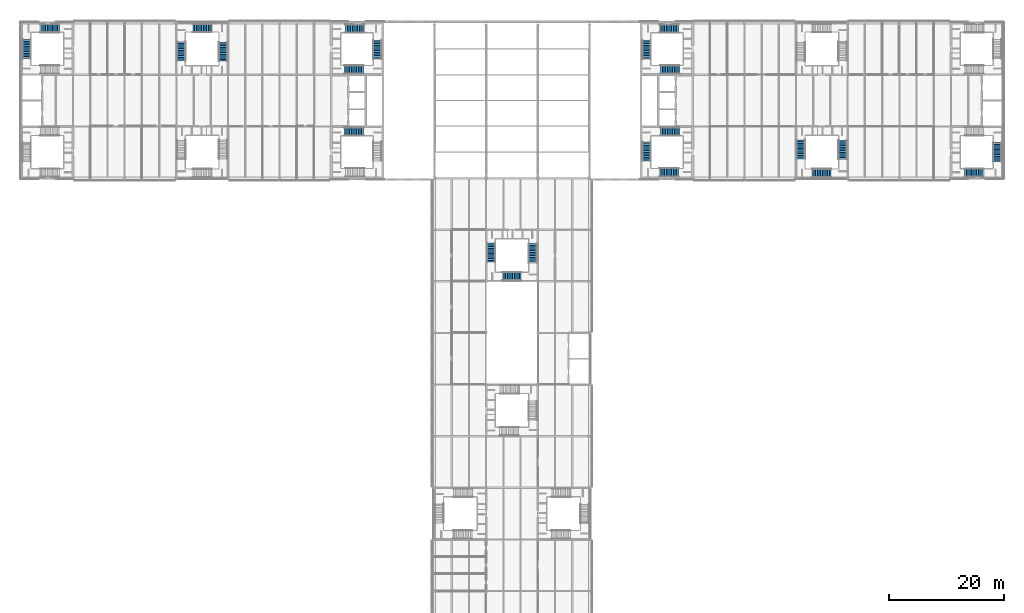
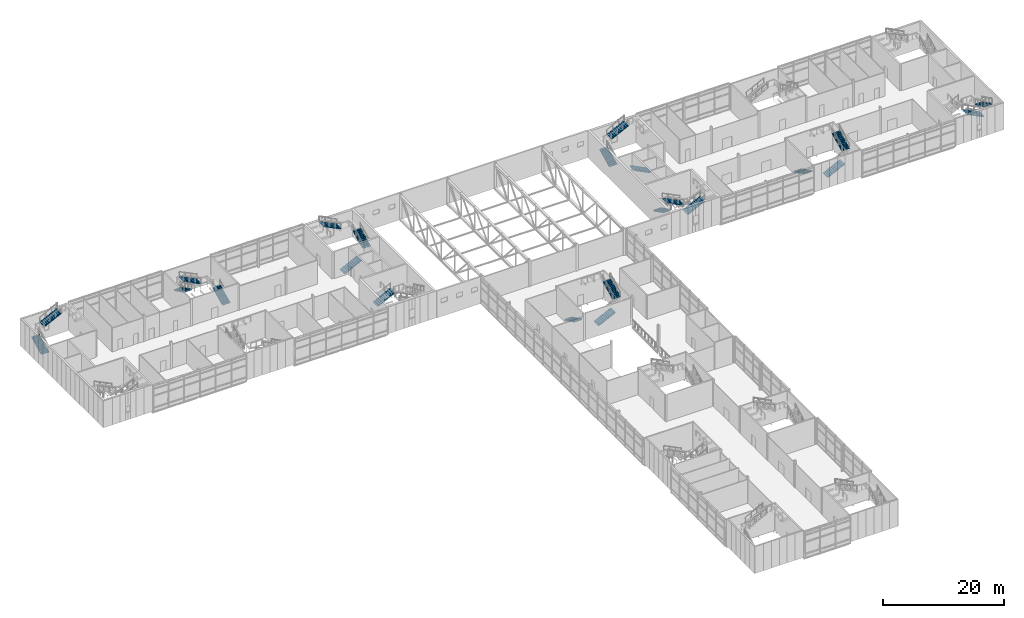
# One storey, part 43 of 53: 23 stair flights, 9 elements without a shape of their own.
"""IFC4 building model written with IfcOpenShell, lengths in metres."""

from ifc_helpers import new_model, si_unit, direction, frame, origin, place, context, subcontext, project, spatial, polyline, outline, extrude, material, type_object, element, aggregate, save


model = new_model("IFC4")

# Units and contexts
model_context = context("Model", 3, precision=1e-05, world=origin(), true_north=direction((0.0, 1.0)))
body_context = subcontext(model_context, "Body", "Model", "MODEL_VIEW")
ifc_project = project(units=[si_unit("LENGTHUNIT", "METRE"), si_unit("AREAUNIT", "SQUARE_METRE"), si_unit("VOLUMEUNIT", "CUBIC_METRE"), si_unit("PLANEANGLEUNIT", "RADIAN"), si_unit("MASSUNIT", "GRAM", prefix="KILO")], contexts=[model_context])

# Site, building, storey
site_placement = place(None, origin())
site = spatial("IfcSite", under=ifc_project, at=site_placement, CompositionType="ELEMENT")
building_placement = place(site_placement, origin())
building = spatial("IfcBuilding", under=site, at=building_placement, Name="Azimuth Sports and Learning Centre", CompositionType="ELEMENT")
storey_placement = place(building_placement, frame((0.0, 0.0, 10.800048828125)))
storey = spatial("IfcBuildingStorey", under=building, at=storey_placement, Name="L02", CompositionType="ELEMENT", Elevation=10.800048828125)

# Stair, stair flight
ifc_material_1 = material(Name="Concrete C32/40", Category="concrete")
stair_type_1 = type_object("IfcStairType", Name="Square-well stair core 5400 storey", PredefinedType="THREE_QUARTER_TURN_STAIR", material=ifc_material_1)
stair_1_placement = place(storey_placement, origin())
stair_1 = element("IfcStair", 1, at=stair_1_placement, inside=storey, type_object=stair_type_1, Name="Stair W1 L02-L03", PredefinedType="THREE_QUARTER_TURN_STAIR")
ifc_material_2 = material(Name="Concrete C32/40", Category="concrete")
stair_flight_type = type_object("IfcStairFlightType", Name="Stair flight 12 risers", PredefinedType="STRAIGHT", material=ifc_material_2)
stair_flight_1_placement = place(storey_placement, frame((56.31005859375, 98.090087890625, 0.0), z_axis=(0.0, 0.0, 1.0), x_axis=(1.0, 0.0, 0.0)))
stair_flight_1 = element("IfcStairFlight", 2, at=stair_flight_1_placement, type_object=stair_flight_type, Name="Stair W1 L02 flight 1", NumberOfRisers=12, NumberOfTreads=11, PredefinedType="STRAIGHT", RiserHeight=0.15, TreadLength=0.3, context=body_context, shape_type="SweptSolid", body=[
    extrude(outline(polyline([(0.0, 0.0), (0.0, 0.14990234375), (0.300048828125, 0.14990234375), (0.300048828125, 0.300048828125), (0.60009765625, 0.300048828125), (0.60009765625, 0.449951171875), (0.89990234375, 0.449951171875), (0.89990234375, 0.60009765625), (1.199951171875, 0.60009765625), (1.199951171875, 0.75), (1.5, 0.75), (1.5, 0.89990234375), (1.800048828125, 0.89990234375), (1.800048828125, 1.050048828125), (2.10009765625, 1.050048828125), (2.10009765625, 1.199951171875), (2.39990234375, 1.199951171875), (2.39990234375, 1.35009765625), (2.699951171875, 1.35009765625), (2.699951171875, 1.5), (3.0, 1.5), (3.0, 1.64990234375), (3.300048828125, 1.64990234375), (3.300048828125, 1.800048828125), (3.300048828125, 1.482421875), (0.335205078125, 0.0), (0.0, 0.0)])), frame((0.0, 0.75, 0.0), z_axis=(0.0, -1.0, 0.0), x_axis=(1.0, 0.0, 0.0)), (0.0, 0.0, 1.0), 1.5),
])
aggregate(stair_1, [stair_flight_1])

# Stair, stair flights
stair_2_placement = place(storey_placement, origin())
stair_2 = element("IfcStair", 3, at=stair_2_placement, inside=storey, type_object=stair_type_1, Name="Stair W2 L02-L03", PredefinedType="THREE_QUARTER_TURN_STAIR")
stair_flight_2_placement = place(storey_placement, frame((56.31005859375, 108.909912109375, 0.0), z_axis=(0.0, 0.0, 1.0), x_axis=(1.0, 0.0, 0.0)))
stair_flight_2 = element("IfcStairFlight", 4, at=stair_flight_2_placement, type_object=stair_flight_type, Name="Stair W2 L02 flight 1", NumberOfRisers=12, NumberOfTreads=11, PredefinedType="STRAIGHT", RiserHeight=0.15, TreadLength=0.3, context=body_context, shape_type="SweptSolid", body=[
    extrude(outline(polyline([(0.0, 0.0), (0.0, 0.14990234375), (0.300048828125, 0.14990234375), (0.300048828125, 0.300048828125), (0.60009765625, 0.300048828125), (0.60009765625, 0.449951171875), (0.89990234375, 0.449951171875), (0.89990234375, 0.60009765625), (1.199951171875, 0.60009765625), (1.199951171875, 0.75), (1.5, 0.75), (1.5, 0.89990234375), (1.800048828125, 0.89990234375), (1.800048828125, 1.050048828125), (2.10009765625, 1.050048828125), (2.10009765625, 1.199951171875), (2.39990234375, 1.199951171875), (2.39990234375, 1.35009765625), (2.699951171875, 1.35009765625), (2.699951171875, 1.5), (3.0, 1.5), (3.0, 1.64990234375), (3.300048828125, 1.64990234375), (3.300048828125, 1.800048828125), (3.300048828125, 1.482421875), (0.335205078125, 0.0), (0.0, 0.0)])), frame((0.0, 0.75, 0.0), z_axis=(0.0, -1.0, 0.0), x_axis=(1.0, 0.0, 0.0)), (0.0, 0.0, 1.0), 1.5),
])
stair_flight_3_placement = place(storey_placement, frame((62.0400390625, 110.7099609375, 1.800048828125), z_axis=(0.0, 0.0, 1.0), x_axis=(0.0, 1.0, 0.0)))
stair_flight_3 = element("IfcStairFlight", 5, at=stair_flight_3_placement, type_object=stair_flight_type, Name="Stair W2 L02 flight 2", NumberOfRisers=12, NumberOfTreads=11, PredefinedType="STRAIGHT", RiserHeight=0.15, TreadLength=0.3, context=body_context, shape_type="SweptSolid", body=[
    extrude(outline(polyline([(0.0, 0.0), (0.0, 0.14990234375), (0.300048828125, 0.14990234375), (0.300048828125, 0.300048828125), (0.60009765625, 0.300048828125), (0.60009765625, 0.449951171875), (0.89990234375, 0.449951171875), (0.89990234375, 0.60009765625), (1.199951171875, 0.60009765625), (1.199951171875, 0.75), (1.5, 0.75), (1.5, 0.89990234375), (1.800048828125, 0.89990234375), (1.800048828125, 1.050048828125), (2.10009765625, 1.050048828125), (2.10009765625, 1.199951171875), (2.39990234375, 1.199951171875), (2.39990234375, 1.35009765625), (2.699951171875, 1.35009765625), (2.699951171875, 1.5), (3.0, 1.5), (3.0, 1.64990234375), (3.300048828125, 1.64990234375), (3.300048828125, 1.800048828125), (3.300048828125, 1.482421875), (0.335205078125, 0.0), (0.0, 0.0)])), frame((0.0, 0.75, 0.0), z_axis=(0.0, -1.0, 0.0), x_axis=(1.0, 0.0, 0.0)), (0.0, 0.0, 1.0), 1.5),
])
stair_flight_4_placement = place(storey_placement, frame((59.7900390625, 116.0400390625, 3.599853515625), z_axis=(0.0, 0.0, 1.0), x_axis=(-1.0, 0.0, 0.0)))
stair_flight_4 = element("IfcStairFlight", 6, at=stair_flight_4_placement, type_object=stair_flight_type, Name="Stair W2 L02 flight 3", NumberOfRisers=12, NumberOfTreads=11, PredefinedType="STRAIGHT", RiserHeight=0.15, TreadLength=0.3, context=body_context, shape_type="SweptSolid", body=[
    extrude(outline(polyline([(0.0, 0.0), (0.0, 0.14990234375), (0.300048828125, 0.14990234375), (0.300048828125, 0.300048828125), (0.60009765625, 0.300048828125), (0.60009765625, 0.449951171875), (0.89990234375, 0.449951171875), (0.89990234375, 0.60009765625), (1.199951171875, 0.60009765625), (1.199951171875, 0.75), (1.5, 0.75), (1.5, 0.89990234375), (1.800048828125, 0.89990234375), (1.800048828125, 1.050048828125), (2.10009765625, 1.050048828125), (2.10009765625, 1.199951171875), (2.39990234375, 1.199951171875), (2.39990234375, 1.35009765625), (2.699951171875, 1.35009765625), (2.699951171875, 1.5), (3.0, 1.5), (3.0, 1.64990234375), (3.300048828125, 1.64990234375), (3.300048828125, 1.800048828125), (3.300048828125, 1.482421875), (0.335205078125, 0.0), (0.0, 0.0)])), frame((0.0, 0.75, 0.0), z_axis=(0.0, -1.0, 0.0), x_axis=(1.0, 0.0, 0.0)), (0.0, 0.0, 1.0), 1.5),
])
aggregate(stair_2, [stair_flight_2, stair_flight_3, stair_flight_4])

stair_3_placement = place(storey_placement, origin())
stair_3 = element("IfcStair", 7, at=stair_3_placement, inside=storey, type_object=stair_type_1, Name="Stair E1 L02-L03", PredefinedType="THREE_QUARTER_TURN_STAIR")
stair_flight_5_placement = place(storey_placement, frame((114.68994140625, 98.090087890625, 0.0), z_axis=(0.0, 0.0, 1.0), x_axis=(-1.0, 0.0, 0.0)))
stair_flight_5 = element("IfcStairFlight", 8, at=stair_flight_5_placement, type_object=stair_flight_type, Name="Stair E1 L02 flight 1", NumberOfRisers=12, NumberOfTreads=11, PredefinedType="STRAIGHT", RiserHeight=0.15, TreadLength=0.3, context=body_context, shape_type="SweptSolid", body=[
    extrude(outline(polyline([(0.0, 0.0), (0.0, 0.14990234375), (0.300048828125, 0.14990234375), (0.300048828125, 0.300048828125), (0.60009765625, 0.300048828125), (0.60009765625, 0.449951171875), (0.89990234375, 0.449951171875), (0.89990234375, 0.60009765625), (1.199951171875, 0.60009765625), (1.199951171875, 0.75), (1.5, 0.75), (1.5, 0.89990234375), (1.800048828125, 0.89990234375), (1.800048828125, 1.050048828125), (2.10009765625, 1.050048828125), (2.10009765625, 1.199951171875), (2.39990234375, 1.199951171875), (2.39990234375, 1.35009765625), (2.699951171875, 1.35009765625), (2.699951171875, 1.5), (3.0, 1.5), (3.0, 1.64990234375), (3.300048828125, 1.64990234375), (3.300048828125, 1.800048828125), (3.300048828125, 1.482421875), (0.335205078125, 0.0), (0.0, 0.0)])), frame((0.0, 0.75, 0.0), z_axis=(0.0, -1.0, 0.0), x_axis=(1.0, 0.0, 0.0)), (0.0, 0.0, 1.0), 1.5),
])
stair_flight_6_placement = place(storey_placement, frame((108.9599609375, 96.2900390625, 1.800048828125), z_axis=(0.0, 0.0, 1.0), x_axis=(0.0, -1.0, 0.0)))
stair_flight_6 = element("IfcStairFlight", 9, at=stair_flight_6_placement, type_object=stair_flight_type, Name="Stair E1 L02 flight 2", NumberOfRisers=12, NumberOfTreads=11, PredefinedType="STRAIGHT", RiserHeight=0.15, TreadLength=0.3, context=body_context, shape_type="SweptSolid", body=[
    extrude(outline(polyline([(0.0, 0.0), (0.0, 0.14990234375), (0.300048828125, 0.14990234375), (0.300048828125, 0.300048828125), (0.60009765625, 0.300048828125), (0.60009765625, 0.449951171875), (0.89990234375, 0.449951171875), (0.89990234375, 0.60009765625), (1.199951171875, 0.60009765625), (1.199951171875, 0.75), (1.5, 0.75), (1.5, 0.89990234375), (1.800048828125, 0.89990234375), (1.800048828125, 1.050048828125), (2.10009765625, 1.050048828125), (2.10009765625, 1.199951171875), (2.39990234375, 1.199951171875), (2.39990234375, 1.35009765625), (2.699951171875, 1.35009765625), (2.699951171875, 1.5), (3.0, 1.5), (3.0, 1.64990234375), (3.300048828125, 1.64990234375), (3.300048828125, 1.800048828125), (3.300048828125, 1.482421875), (0.335205078125, 0.0), (0.0, 0.0)])), frame((0.0, 0.75, 0.0), z_axis=(0.0, -1.0, 0.0), x_axis=(1.0, 0.0, 0.0)), (0.0, 0.0, 1.0), 1.5),
])
stair_flight_7_placement = place(storey_placement, frame((111.2099609375, 90.9599609375, 3.599853515625), z_axis=(0.0, 0.0, 1.0), x_axis=(1.0, 0.0, 0.0)))
stair_flight_7 = element("IfcStairFlight", 10, at=stair_flight_7_placement, type_object=stair_flight_type, Name="Stair E1 L02 flight 3", NumberOfRisers=12, NumberOfTreads=11, PredefinedType="STRAIGHT", RiserHeight=0.15, TreadLength=0.3, context=body_context, shape_type="SweptSolid", body=[
    extrude(outline(polyline([(0.0, 0.0), (0.0, 0.14990234375), (0.300048828125, 0.14990234375), (0.300048828125, 0.300048828125), (0.60009765625, 0.300048828125), (0.60009765625, 0.449951171875), (0.89990234375, 0.449951171875), (0.89990234375, 0.60009765625), (1.199951171875, 0.60009765625), (1.199951171875, 0.75), (1.5, 0.75), (1.5, 0.89990234375), (1.800048828125, 0.89990234375), (1.800048828125, 1.050048828125), (2.10009765625, 1.050048828125), (2.10009765625, 1.199951171875), (2.39990234375, 1.199951171875), (2.39990234375, 1.35009765625), (2.699951171875, 1.35009765625), (2.699951171875, 1.5), (3.0, 1.5), (3.0, 1.64990234375), (3.300048828125, 1.64990234375), (3.300048828125, 1.800048828125), (3.300048828125, 1.482421875), (0.335205078125, 0.0), (0.0, 0.0)])), frame((0.0, 0.75, 0.0), z_axis=(0.0, -1.0, 0.0), x_axis=(1.0, 0.0, 0.0)), (0.0, 0.0, 1.0), 1.5),
])
aggregate(stair_3, [stair_flight_5, stair_flight_6, stair_flight_7])

stair_4_placement = place(storey_placement, origin())
stair_4 = element("IfcStair", 11, at=stair_4_placement, inside=storey, type_object=stair_type_1, Name="Stair E2 L02-L03", PredefinedType="THREE_QUARTER_TURN_STAIR")
stair_flight_8_placement = place(storey_placement, frame((114.68994140625, 108.909912109375, 0.0), z_axis=(0.0, 0.0, 1.0), x_axis=(-1.0, 0.0, 0.0)))
stair_flight_8 = element("IfcStairFlight", 12, at=stair_flight_8_placement, type_object=stair_flight_type, Name="Stair E2 L02 flight 1", NumberOfRisers=12, NumberOfTreads=11, PredefinedType="STRAIGHT", RiserHeight=0.15, TreadLength=0.3, context=body_context, shape_type="SweptSolid", body=[
    extrude(outline(polyline([(0.0, 0.0), (0.0, 0.14990234375), (0.300048828125, 0.14990234375), (0.300048828125, 0.300048828125), (0.60009765625, 0.300048828125), (0.60009765625, 0.449951171875), (0.89990234375, 0.449951171875), (0.89990234375, 0.60009765625), (1.199951171875, 0.60009765625), (1.199951171875, 0.75), (1.5, 0.75), (1.5, 0.89990234375), (1.800048828125, 0.89990234375), (1.800048828125, 1.050048828125), (2.10009765625, 1.050048828125), (2.10009765625, 1.199951171875), (2.39990234375, 1.199951171875), (2.39990234375, 1.35009765625), (2.699951171875, 1.35009765625), (2.699951171875, 1.5), (3.0, 1.5), (3.0, 1.64990234375), (3.300048828125, 1.64990234375), (3.300048828125, 1.800048828125), (3.300048828125, 1.482421875), (0.335205078125, 0.0), (0.0, 0.0)])), frame((0.0, 0.75, 0.0), z_axis=(0.0, -1.0, 0.0), x_axis=(1.0, 0.0, 0.0)), (0.0, 0.0, 1.0), 1.5),
])
stair_flight_9_placement = place(storey_placement, frame((108.9599609375, 110.7099609375, 1.800048828125), z_axis=(0.0, 0.0, 1.0), x_axis=(0.0, 1.0, 0.0)))
stair_flight_9 = element("IfcStairFlight", 13, at=stair_flight_9_placement, type_object=stair_flight_type, Name="Stair E2 L02 flight 2", NumberOfRisers=12, NumberOfTreads=11, PredefinedType="STRAIGHT", RiserHeight=0.15, TreadLength=0.3, context=body_context, shape_type="SweptSolid", body=[
    extrude(outline(polyline([(0.0, 0.0), (0.0, 0.14990234375), (0.300048828125, 0.14990234375), (0.300048828125, 0.300048828125), (0.60009765625, 0.300048828125), (0.60009765625, 0.449951171875), (0.89990234375, 0.449951171875), (0.89990234375, 0.60009765625), (1.199951171875, 0.60009765625), (1.199951171875, 0.75), (1.5, 0.75), (1.5, 0.89990234375), (1.800048828125, 0.89990234375), (1.800048828125, 1.050048828125), (2.10009765625, 1.050048828125), (2.10009765625, 1.199951171875), (2.39990234375, 1.199951171875), (2.39990234375, 1.35009765625), (2.699951171875, 1.35009765625), (2.699951171875, 1.5), (3.0, 1.5), (3.0, 1.64990234375), (3.300048828125, 1.64990234375), (3.300048828125, 1.800048828125), (3.300048828125, 1.482421875), (0.335205078125, 0.0), (0.0, 0.0)])), frame((0.0, 0.75, 0.0), z_axis=(0.0, -1.0, 0.0), x_axis=(1.0, 0.0, 0.0)), (0.0, 0.0, 1.0), 1.5),
])
stair_flight_10_placement = place(storey_placement, frame((111.2099609375, 116.0400390625, 3.599853515625), z_axis=(0.0, 0.0, 1.0), x_axis=(1.0, 0.0, 0.0)))
stair_flight_10 = element("IfcStairFlight", 14, at=stair_flight_10_placement, type_object=stair_flight_type, Name="Stair E2 L02 flight 3", NumberOfRisers=12, NumberOfTreads=11, PredefinedType="STRAIGHT", RiserHeight=0.15, TreadLength=0.3, context=body_context, shape_type="SweptSolid", body=[
    extrude(outline(polyline([(0.0, 0.0), (0.0, 0.14990234375), (0.300048828125, 0.14990234375), (0.300048828125, 0.300048828125), (0.60009765625, 0.300048828125), (0.60009765625, 0.449951171875), (0.89990234375, 0.449951171875), (0.89990234375, 0.60009765625), (1.199951171875, 0.60009765625), (1.199951171875, 0.75), (1.5, 0.75), (1.5, 0.89990234375), (1.800048828125, 0.89990234375), (1.800048828125, 1.050048828125), (2.10009765625, 1.050048828125), (2.10009765625, 1.199951171875), (2.39990234375, 1.199951171875), (2.39990234375, 1.35009765625), (2.699951171875, 1.35009765625), (2.699951171875, 1.5), (3.0, 1.5), (3.0, 1.64990234375), (3.300048828125, 1.64990234375), (3.300048828125, 1.800048828125), (3.300048828125, 1.482421875), (0.335205078125, 0.0), (0.0, 0.0)])), frame((0.0, 0.75, 0.0), z_axis=(0.0, -1.0, 0.0), x_axis=(1.0, 0.0, 0.0)), (0.0, 0.0, 1.0), 1.5),
])
aggregate(stair_4, [stair_flight_8, stair_flight_9, stair_flight_10])

ifc_material_3 = material(Name="Concrete C32/40", Category="concrete")
stair_type_2 = type_object("IfcStairType", Name="Square-well stair end core 5400 storey", PredefinedType="THREE_QUARTER_TURN_STAIR", material=ifc_material_3)
stair_5_placement = place(storey_placement, origin())
stair_5 = element("IfcStair", 15, at=stair_5_placement, inside=storey, type_object=stair_type_2, Name="Stair WW2 L02-L03", PredefinedType="THREE_QUARTER_TURN_STAIR")
stair_flight_11_placement = place(storey_placement, frame((0.909912109375, 110.8349609375, 1.800048828125), z_axis=(0.0, 0.0, 1.0), x_axis=(0.0, 1.0, 0.0)))
stair_flight_11 = element("IfcStairFlight", 16, at=stair_flight_11_placement, type_object=stair_flight_type, Name="Stair WW2 L02 flight 2", NumberOfRisers=12, NumberOfTreads=11, PredefinedType="STRAIGHT", RiserHeight=0.15, TreadLength=0.3, context=body_context, shape_type="SweptSolid", body=[
    extrude(outline(polyline([(0.0, 0.0), (0.0, 0.14990234375), (0.300048828125, 0.14990234375), (0.300048828125, 0.300048828125), (0.60009765625, 0.300048828125), (0.60009765625, 0.449951171875), (0.89990234375, 0.449951171875), (0.89990234375, 0.60009765625), (1.199951171875, 0.60009765625), (1.199951171875, 0.75), (1.5, 0.75), (1.5, 0.89990234375), (1.800048828125, 0.89990234375), (1.800048828125, 1.050048828125), (2.10009765625, 1.050048828125), (2.10009765625, 1.199951171875), (2.39990234375, 1.199951171875), (2.39990234375, 1.35009765625), (2.699951171875, 1.35009765625), (2.699951171875, 1.5), (3.0, 1.5), (3.0, 1.64990234375), (3.300048828125, 1.64990234375), (3.300048828125, 1.800048828125), (3.300048828125, 1.482421875), (0.335205078125, 0.0), (0.0, 0.0)])), frame((0.0, 0.75, 0.0), z_axis=(0.0, -1.0, 0.0), x_axis=(1.0, 0.0, 0.0)), (0.0, 0.0, 1.0), 1.5),
])
stair_flight_12_placement = place(storey_placement, frame((3.31005859375, 116.090087890625, 3.599853515625), z_axis=(0.0, 0.0, 1.0), x_axis=(1.0, 0.0, 0.0)))
stair_flight_12 = element("IfcStairFlight", 17, at=stair_flight_12_placement, type_object=stair_flight_type, Name="Stair WW2 L02 flight 3", NumberOfRisers=12, NumberOfTreads=11, PredefinedType="STRAIGHT", RiserHeight=0.15, TreadLength=0.3, context=body_context, shape_type="SweptSolid", body=[
    extrude(outline(polyline([(0.0, 0.0), (0.0, 0.14990234375), (0.300048828125, 0.14990234375), (0.300048828125, 0.300048828125), (0.60009765625, 0.300048828125), (0.60009765625, 0.449951171875), (0.89990234375, 0.449951171875), (0.89990234375, 0.60009765625), (1.199951171875, 0.60009765625), (1.199951171875, 0.75), (1.5, 0.75), (1.5, 0.89990234375), (1.800048828125, 0.89990234375), (1.800048828125, 1.050048828125), (2.10009765625, 1.050048828125), (2.10009765625, 1.199951171875), (2.39990234375, 1.199951171875), (2.39990234375, 1.35009765625), (2.699951171875, 1.35009765625), (2.699951171875, 1.5), (3.0, 1.5), (3.0, 1.64990234375), (3.300048828125, 1.64990234375), (3.300048828125, 1.800048828125), (3.300048828125, 1.482421875), (0.335205078125, 0.0), (0.0, 0.0)])), frame((0.0, 0.75, 0.0), z_axis=(0.0, -1.0, 0.0), x_axis=(1.0, 0.0, 0.0)), (0.0, 0.0, 1.0), 1.5),
])
aggregate(stair_5, [stair_flight_11, stair_flight_12])

stair_6_placement = place(storey_placement, origin())
stair_6 = element("IfcStair", 18, at=stair_6_placement, inside=storey, type_object=stair_type_2, Name="Stair EW1 L02-L03", PredefinedType="THREE_QUARTER_TURN_STAIR")
stair_flight_13_placement = place(storey_placement, frame((170.090087890625, 96.1650390625, 1.800048828125), z_axis=(0.0, 0.0, 1.0), x_axis=(0.0, -1.0, 0.0)))
stair_flight_13 = element("IfcStairFlight", 19, at=stair_flight_13_placement, type_object=stair_flight_type, Name="Stair EW1 L02 flight 2", NumberOfRisers=12, NumberOfTreads=11, PredefinedType="STRAIGHT", RiserHeight=0.15, TreadLength=0.3, context=body_context, shape_type="SweptSolid", body=[
    extrude(outline(polyline([(0.0, 0.0), (0.0, 0.14990234375), (0.300048828125, 0.14990234375), (0.300048828125, 0.300048828125), (0.60009765625, 0.300048828125), (0.60009765625, 0.449951171875), (0.89990234375, 0.449951171875), (0.89990234375, 0.60009765625), (1.199951171875, 0.60009765625), (1.199951171875, 0.75), (1.5, 0.75), (1.5, 0.89990234375), (1.800048828125, 0.89990234375), (1.800048828125, 1.050048828125), (2.10009765625, 1.050048828125), (2.10009765625, 1.199951171875), (2.39990234375, 1.199951171875), (2.39990234375, 1.35009765625), (2.699951171875, 1.35009765625), (2.699951171875, 1.5), (3.0, 1.5), (3.0, 1.64990234375), (3.300048828125, 1.64990234375), (3.300048828125, 1.800048828125), (3.300048828125, 1.482421875), (0.335205078125, 0.0), (0.0, 0.0)])), frame((0.0, 0.75, 0.0), z_axis=(0.0, -1.0, 0.0), x_axis=(1.0, 0.0, 0.0)), (0.0, 0.0, 1.0), 1.5),
])
stair_flight_14_placement = place(storey_placement, frame((167.68994140625, 90.909912109375, 3.599853515625), z_axis=(0.0, 0.0, 1.0), x_axis=(-1.0, 0.0, 0.0)))
stair_flight_14 = element("IfcStairFlight", 20, at=stair_flight_14_placement, type_object=stair_flight_type, Name="Stair EW1 L02 flight 3", NumberOfRisers=12, NumberOfTreads=11, PredefinedType="STRAIGHT", RiserHeight=0.15, TreadLength=0.3, context=body_context, shape_type="SweptSolid", body=[
    extrude(outline(polyline([(0.0, 0.0), (0.0, 0.14990234375), (0.300048828125, 0.14990234375), (0.300048828125, 0.300048828125), (0.60009765625, 0.300048828125), (0.60009765625, 0.449951171875), (0.89990234375, 0.449951171875), (0.89990234375, 0.60009765625), (1.199951171875, 0.60009765625), (1.199951171875, 0.75), (1.5, 0.75), (1.5, 0.89990234375), (1.800048828125, 0.89990234375), (1.800048828125, 1.050048828125), (2.10009765625, 1.050048828125), (2.10009765625, 1.199951171875), (2.39990234375, 1.199951171875), (2.39990234375, 1.35009765625), (2.699951171875, 1.35009765625), (2.699951171875, 1.5), (3.0, 1.5), (3.0, 1.64990234375), (3.300048828125, 1.64990234375), (3.300048828125, 1.800048828125), (3.300048828125, 1.482421875), (0.335205078125, 0.0), (0.0, 0.0)])), frame((0.0, 0.75, 0.0), z_axis=(0.0, -1.0, 0.0), x_axis=(1.0, 0.0, 0.0)), (0.0, 0.0, 1.0), 1.5),
])
aggregate(stair_6, [stair_flight_13, stair_flight_14])

ifc_material_4 = material(Name="Concrete C32/40", Category="concrete")
stair_type_3 = type_object("IfcStairType", Name="Square-well stair mid-wing cell 5400 storey", PredefinedType="THREE_QUARTER_TURN_STAIR", material=ifc_material_4)
stair_7_placement = place(storey_placement, origin())
stair_7 = element("IfcStair", 21, at=stair_7_placement, inside=storey, type_object=stair_type_3, Name="Stair WM2 L02-L03", PredefinedType="THREE_QUARTER_TURN_STAIR")
stair_flight_15_placement = place(storey_placement, frame((35.139892578125, 110.360107421875, 0.0), z_axis=(0.0, 0.0, 1.0), x_axis=(0.0, 1.0, 0.0)))
stair_flight_15 = element("IfcStairFlight", 22, at=stair_flight_15_placement, type_object=stair_flight_type, Name="Stair WM2 L02 flight 1", NumberOfRisers=12, NumberOfTreads=11, PredefinedType="STRAIGHT", RiserHeight=0.15, TreadLength=0.3, context=body_context, shape_type="SweptSolid", body=[
    extrude(outline(polyline([(0.0, 0.0), (0.0, 0.14990234375), (0.300048828125, 0.14990234375), (0.300048828125, 0.300048828125), (0.60009765625, 0.300048828125), (0.60009765625, 0.449951171875), (0.89990234375, 0.449951171875), (0.89990234375, 0.60009765625), (1.199951171875, 0.60009765625), (1.199951171875, 0.75), (1.5, 0.75), (1.5, 0.89990234375), (1.800048828125, 0.89990234375), (1.800048828125, 1.050048828125), (2.10009765625, 1.050048828125), (2.10009765625, 1.199951171875), (2.39990234375, 1.199951171875), (2.39990234375, 1.35009765625), (2.699951171875, 1.35009765625), (2.699951171875, 1.5), (3.0, 1.5), (3.0, 1.64990234375), (3.300048828125, 1.64990234375), (3.300048828125, 1.800048828125), (3.300048828125, 1.482421875), (0.335205078125, 0.0), (0.0, 0.0)])), frame((0.0, 0.75, 0.0), z_axis=(0.0, -1.0, 0.0), x_axis=(1.0, 0.0, 0.0)), (0.0, 0.0, 1.0), 1.5),
])
stair_flight_16_placement = place(storey_placement, frame((33.18994140625, 116.139892578125, 1.800048828125), z_axis=(0.0, 0.0, 1.0), x_axis=(-1.0, 0.0, 0.0)))
stair_flight_16 = element("IfcStairFlight", 23, at=stair_flight_16_placement, type_object=stair_flight_type, Name="Stair WM2 L02 flight 2", NumberOfRisers=12, NumberOfTreads=11, PredefinedType="STRAIGHT", RiserHeight=0.15, TreadLength=0.3, context=body_context, shape_type="SweptSolid", body=[
    extrude(outline(polyline([(0.0, 0.0), (0.0, 0.14990234375), (0.300048828125, 0.14990234375), (0.300048828125, 0.300048828125), (0.60009765625, 0.300048828125), (0.60009765625, 0.449951171875), (0.89990234375, 0.449951171875), (0.89990234375, 0.60009765625), (1.199951171875, 0.60009765625), (1.199951171875, 0.75), (1.5, 0.75), (1.5, 0.89990234375), (1.800048828125, 0.89990234375), (1.800048828125, 1.050048828125), (2.10009765625, 1.050048828125), (2.10009765625, 1.199951171875), (2.39990234375, 1.199951171875), (2.39990234375, 1.35009765625), (2.699951171875, 1.35009765625), (2.699951171875, 1.5), (3.0, 1.5), (3.0, 1.64990234375), (3.300048828125, 1.64990234375), (3.300048828125, 1.800048828125), (3.300048828125, 1.482421875), (0.335205078125, 0.0), (0.0, 0.0)])), frame((0.0, 0.75, 0.0), z_axis=(0.0, -1.0, 0.0), x_axis=(1.0, 0.0, 0.0)), (0.0, 0.0, 1.0), 1.5),
])
stair_flight_17_placement = place(storey_placement, frame((27.860107421875, 113.739990234375, 3.599853515625), z_axis=(0.0, 0.0, 1.0), x_axis=(0.0, -1.0, 0.0)))
stair_flight_17 = element("IfcStairFlight", 24, at=stair_flight_17_placement, type_object=stair_flight_type, Name="Stair WM2 L02 flight 3", NumberOfRisers=12, NumberOfTreads=11, PredefinedType="STRAIGHT", RiserHeight=0.15, TreadLength=0.3, context=body_context, shape_type="SweptSolid", body=[
    extrude(outline(polyline([(0.0, 0.0), (0.0, 0.14990234375), (0.300048828125, 0.14990234375), (0.300048828125, 0.300048828125), (0.60009765625, 0.300048828125), (0.60009765625, 0.449951171875), (0.89990234375, 0.449951171875), (0.89990234375, 0.60009765625), (1.199951171875, 0.60009765625), (1.199951171875, 0.75), (1.5, 0.75), (1.5, 0.89990234375), (1.800048828125, 0.89990234375), (1.800048828125, 1.050048828125), (2.10009765625, 1.050048828125), (2.10009765625, 1.199951171875), (2.39990234375, 1.199951171875), (2.39990234375, 1.35009765625), (2.699951171875, 1.35009765625), (2.699951171875, 1.5), (3.0, 1.5), (3.0, 1.64990234375), (3.300048828125, 1.64990234375), (3.300048828125, 1.800048828125), (3.300048828125, 1.482421875), (0.335205078125, 0.0), (0.0, 0.0)])), frame((0.0, 0.75, 0.0), z_axis=(0.0, -1.0, 0.0), x_axis=(1.0, 0.0, 0.0)), (0.0, 0.0, 1.0), 1.5),
])
aggregate(stair_7, [stair_flight_15, stair_flight_16, stair_flight_17])

stair_8_placement = place(storey_placement, origin())
stair_8 = element("IfcStair", 25, at=stair_8_placement, inside=storey, type_object=stair_type_3, Name="Stair EM1 L02-L03", PredefinedType="THREE_QUARTER_TURN_STAIR")
stair_flight_18_placement = place(storey_placement, frame((135.860107421875, 96.639892578125, 0.0), z_axis=(0.0, 0.0, 1.0), x_axis=(0.0, -1.0, 0.0)))
stair_flight_18 = element("IfcStairFlight", 26, at=stair_flight_18_placement, type_object=stair_flight_type, Name="Stair EM1 L02 flight 1", NumberOfRisers=12, NumberOfTreads=11, PredefinedType="STRAIGHT", RiserHeight=0.15, TreadLength=0.3, context=body_context, shape_type="SweptSolid", body=[
    extrude(outline(polyline([(0.0, 0.0), (0.0, 0.14990234375), (0.300048828125, 0.14990234375), (0.300048828125, 0.300048828125), (0.60009765625, 0.300048828125), (0.60009765625, 0.449951171875), (0.89990234375, 0.449951171875), (0.89990234375, 0.60009765625), (1.199951171875, 0.60009765625), (1.199951171875, 0.75), (1.5, 0.75), (1.5, 0.89990234375), (1.800048828125, 0.89990234375), (1.800048828125, 1.050048828125), (2.10009765625, 1.050048828125), (2.10009765625, 1.199951171875), (2.39990234375, 1.199951171875), (2.39990234375, 1.35009765625), (2.699951171875, 1.35009765625), (2.699951171875, 1.5), (3.0, 1.5), (3.0, 1.64990234375), (3.300048828125, 1.64990234375), (3.300048828125, 1.800048828125), (3.300048828125, 1.482421875), (0.335205078125, 0.0), (0.0, 0.0)])), frame((0.0, 0.75, 0.0), z_axis=(0.0, -1.0, 0.0), x_axis=(1.0, 0.0, 0.0)), (0.0, 0.0, 1.0), 1.5),
])
stair_flight_19_placement = place(storey_placement, frame((137.81005859375, 90.860107421875, 1.800048828125), z_axis=(0.0, 0.0, 1.0), x_axis=(1.0, 0.0, 0.0)))
stair_flight_19 = element("IfcStairFlight", 27, at=stair_flight_19_placement, type_object=stair_flight_type, Name="Stair EM1 L02 flight 2", NumberOfRisers=12, NumberOfTreads=11, PredefinedType="STRAIGHT", RiserHeight=0.15, TreadLength=0.3, context=body_context, shape_type="SweptSolid", body=[
    extrude(outline(polyline([(0.0, 0.0), (0.0, 0.14990234375), (0.300048828125, 0.14990234375), (0.300048828125, 0.300048828125), (0.60009765625, 0.300048828125), (0.60009765625, 0.449951171875), (0.89990234375, 0.449951171875), (0.89990234375, 0.60009765625), (1.199951171875, 0.60009765625), (1.199951171875, 0.75), (1.5, 0.75), (1.5, 0.89990234375), (1.800048828125, 0.89990234375), (1.800048828125, 1.050048828125), (2.10009765625, 1.050048828125), (2.10009765625, 1.199951171875), (2.39990234375, 1.199951171875), (2.39990234375, 1.35009765625), (2.699951171875, 1.35009765625), (2.699951171875, 1.5), (3.0, 1.5), (3.0, 1.64990234375), (3.300048828125, 1.64990234375), (3.300048828125, 1.800048828125), (3.300048828125, 1.482421875), (0.335205078125, 0.0), (0.0, 0.0)])), frame((0.0, 0.75, 0.0), z_axis=(0.0, -1.0, 0.0), x_axis=(1.0, 0.0, 0.0)), (0.0, 0.0, 1.0), 1.5),
])
stair_flight_20_placement = place(storey_placement, frame((143.139892578125, 93.260009765625, 3.599853515625), z_axis=(0.0, 0.0, 1.0), x_axis=(0.0, 1.0, 0.0)))
stair_flight_20 = element("IfcStairFlight", 28, at=stair_flight_20_placement, type_object=stair_flight_type, Name="Stair EM1 L02 flight 3", NumberOfRisers=12, NumberOfTreads=11, PredefinedType="STRAIGHT", RiserHeight=0.15, TreadLength=0.3, context=body_context, shape_type="SweptSolid", body=[
    extrude(outline(polyline([(0.0, 0.0), (0.0, 0.14990234375), (0.300048828125, 0.14990234375), (0.300048828125, 0.300048828125), (0.60009765625, 0.300048828125), (0.60009765625, 0.449951171875), (0.89990234375, 0.449951171875), (0.89990234375, 0.60009765625), (1.199951171875, 0.60009765625), (1.199951171875, 0.75), (1.5, 0.75), (1.5, 0.89990234375), (1.800048828125, 0.89990234375), (1.800048828125, 1.050048828125), (2.10009765625, 1.050048828125), (2.10009765625, 1.199951171875), (2.39990234375, 1.199951171875), (2.39990234375, 1.35009765625), (2.699951171875, 1.35009765625), (2.699951171875, 1.5), (3.0, 1.5), (3.0, 1.64990234375), (3.300048828125, 1.64990234375), (3.300048828125, 1.800048828125), (3.300048828125, 1.482421875), (0.335205078125, 0.0), (0.0, 0.0)])), frame((0.0, 0.75, 0.0), z_axis=(0.0, -1.0, 0.0), x_axis=(1.0, 0.0, 0.0)), (0.0, 0.0, 1.0), 1.5),
])
aggregate(stair_8, [stair_flight_18, stair_flight_19, stair_flight_20])

ifc_material_5 = material(Name="Concrete C32/40", Category="concrete")
stair_type_4 = type_object("IfcStairType", Name="Square-well stair stem cell 5400 storey", PredefinedType="THREE_QUARTER_TURN_STAIR", material=ifc_material_5)
stair_9_placement = place(storey_placement, origin())
stair_9 = element("IfcStair", 29, at=stair_9_placement, inside=storey, type_object=stair_type_4, Name="Stair STD L02-L03", PredefinedType="THREE_QUARTER_TURN_STAIR")
stair_flight_21_placement = place(storey_placement, frame((81.860107421875, 78.639892578125, 0.0), z_axis=(0.0, 0.0, 1.0), x_axis=(0.0, -1.0, 0.0)))
stair_flight_21 = element("IfcStairFlight", 30, at=stair_flight_21_placement, type_object=stair_flight_type, Name="Stair STD L02 flight 1", NumberOfRisers=12, NumberOfTreads=11, PredefinedType="STRAIGHT", RiserHeight=0.15, TreadLength=0.3, context=body_context, shape_type="SweptSolid", body=[
    extrude(outline(polyline([(0.0, 0.0), (0.0, 0.14990234375), (0.300048828125, 0.14990234375), (0.300048828125, 0.300048828125), (0.60009765625, 0.300048828125), (0.60009765625, 0.449951171875), (0.89990234375, 0.449951171875), (0.89990234375, 0.60009765625), (1.199951171875, 0.60009765625), (1.199951171875, 0.75), (1.5, 0.75), (1.5, 0.89990234375), (1.800048828125, 0.89990234375), (1.800048828125, 1.050048828125), (2.10009765625, 1.050048828125), (2.10009765625, 1.199951171875), (2.39990234375, 1.199951171875), (2.39990234375, 1.35009765625), (2.699951171875, 1.35009765625), (2.699951171875, 1.5), (3.0, 1.5), (3.0, 1.64990234375), (3.300048828125, 1.64990234375), (3.300048828125, 1.800048828125), (3.300048828125, 1.482421875), (0.335205078125, 0.0), (0.0, 0.0)])), frame((0.0, 0.75, 0.0), z_axis=(0.0, -1.0, 0.0), x_axis=(1.0, 0.0, 0.0)), (0.0, 0.0, 1.0), 1.5),
])
stair_flight_22_placement = place(storey_placement, frame((83.81005859375, 72.860107421875, 1.800048828125), z_axis=(0.0, 0.0, 1.0), x_axis=(1.0, 0.0, 0.0)))
stair_flight_22 = element("IfcStairFlight", 31, at=stair_flight_22_placement, type_object=stair_flight_type, Name="Stair STD L02 flight 2", NumberOfRisers=12, NumberOfTreads=11, PredefinedType="STRAIGHT", RiserHeight=0.15, TreadLength=0.3, context=body_context, shape_type="SweptSolid", body=[
    extrude(outline(polyline([(0.0, 0.0), (0.0, 0.14990234375), (0.300048828125, 0.14990234375), (0.300048828125, 0.300048828125), (0.60009765625, 0.300048828125), (0.60009765625, 0.449951171875), (0.89990234375, 0.449951171875), (0.89990234375, 0.60009765625), (1.199951171875, 0.60009765625), (1.199951171875, 0.75), (1.5, 0.75), (1.5, 0.89990234375), (1.800048828125, 0.89990234375), (1.800048828125, 1.050048828125), (2.10009765625, 1.050048828125), (2.10009765625, 1.199951171875), (2.39990234375, 1.199951171875), (2.39990234375, 1.35009765625), (2.699951171875, 1.35009765625), (2.699951171875, 1.5), (3.0, 1.5), (3.0, 1.64990234375), (3.300048828125, 1.64990234375), (3.300048828125, 1.800048828125), (3.300048828125, 1.482421875), (0.335205078125, 0.0), (0.0, 0.0)])), frame((0.0, 0.75, 0.0), z_axis=(0.0, -1.0, 0.0), x_axis=(1.0, 0.0, 0.0)), (0.0, 0.0, 1.0), 1.5),
])
stair_flight_23_placement = place(storey_placement, frame((89.139892578125, 75.260009765625, 3.599853515625), z_axis=(0.0, 0.0, 1.0), x_axis=(0.0, 1.0, 0.0)))
stair_flight_23 = element("IfcStairFlight", 32, at=stair_flight_23_placement, type_object=stair_flight_type, Name="Stair STD L02 flight 3", NumberOfRisers=12, NumberOfTreads=11, PredefinedType="STRAIGHT", RiserHeight=0.15, TreadLength=0.3, context=body_context, shape_type="SweptSolid", body=[
    extrude(outline(polyline([(0.0, 0.0), (0.0, 0.14990234375), (0.300048828125, 0.14990234375), (0.300048828125, 0.300048828125), (0.60009765625, 0.300048828125), (0.60009765625, 0.449951171875), (0.89990234375, 0.449951171875), (0.89990234375, 0.60009765625), (1.199951171875, 0.60009765625), (1.199951171875, 0.75), (1.5, 0.75), (1.5, 0.89990234375), (1.800048828125, 0.89990234375), (1.800048828125, 1.050048828125), (2.10009765625, 1.050048828125), (2.10009765625, 1.199951171875), (2.39990234375, 1.199951171875), (2.39990234375, 1.35009765625), (2.699951171875, 1.35009765625), (2.699951171875, 1.5), (3.0, 1.5), (3.0, 1.64990234375), (3.300048828125, 1.64990234375), (3.300048828125, 1.800048828125), (3.300048828125, 1.482421875), (0.335205078125, 0.0), (0.0, 0.0)])), frame((0.0, 0.75, 0.0), z_axis=(0.0, -1.0, 0.0), x_axis=(1.0, 0.0, 0.0)), (0.0, 0.0, 1.0), 1.5),
])
aggregate(stair_9, [stair_flight_21, stair_flight_22, stair_flight_23])

save(model, "model.ifc")
